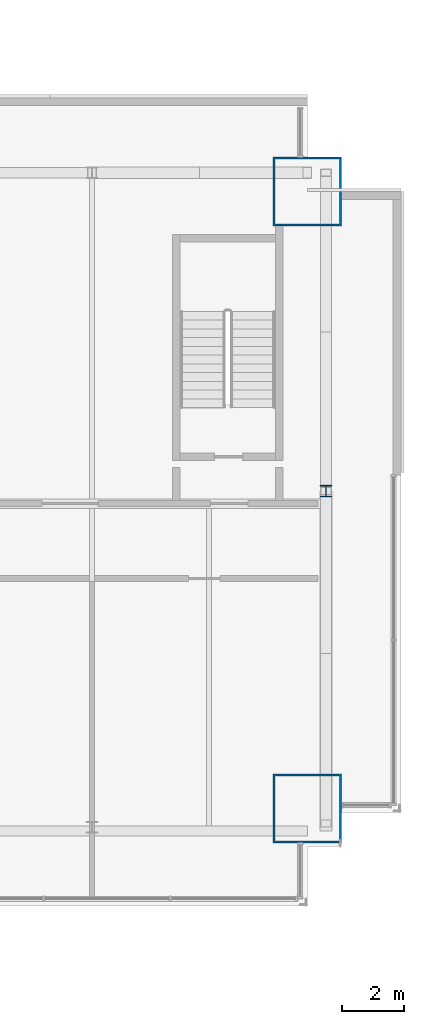
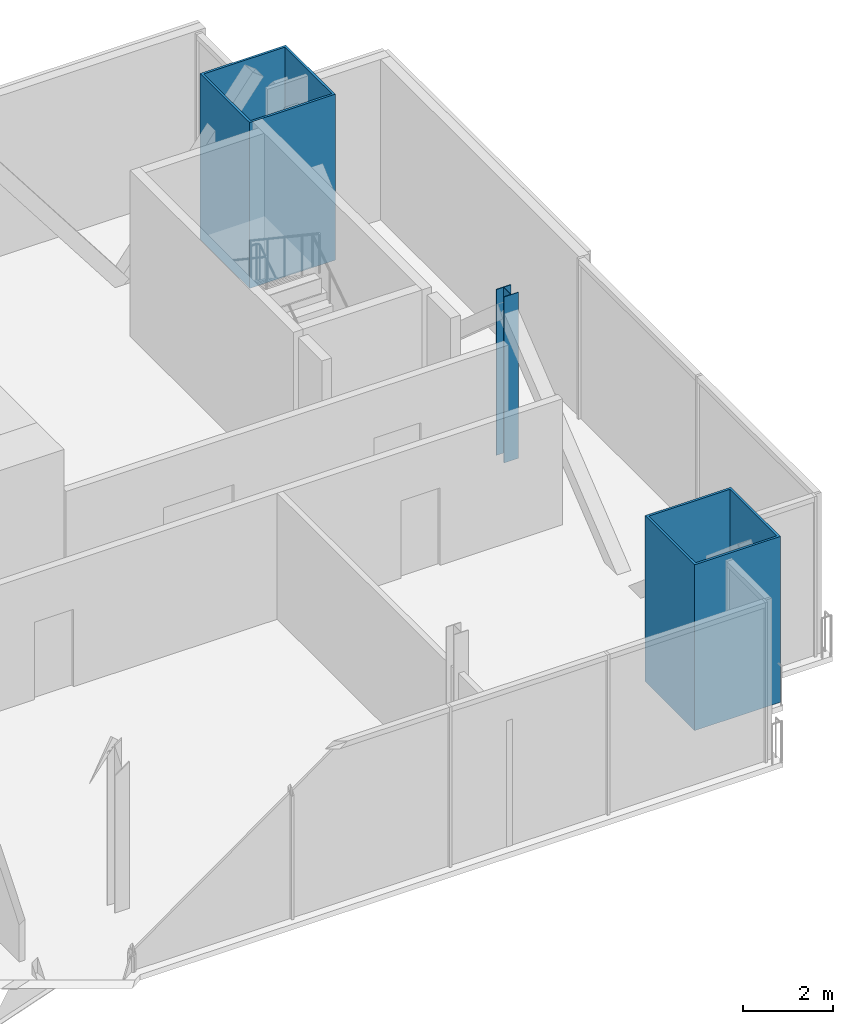
# One storey, part 3 of 17: 3 columns.
"""IFC4 building model written with IfcOpenShell, lengths in metres."""

from ifc_helpers import new_model, si_unit, direction, frame, origin, origin_2d, place, context, subcontext, project, spatial, hollow_rectangle, i_section, extrude, material, material_profile, profile_set, type_object, element, save


model = new_model("IFC4")

# Units and contexts
model_context = context("Model", 3, precision=1e-05, world=origin(), true_north=direction((0.0, 1.0)))
body_context = subcontext(model_context, "Body", "Model", "MODEL_VIEW")
ifc_project = project(units=[si_unit("LENGTHUNIT", "METRE"), si_unit("AREAUNIT", "SQUARE_METRE"), si_unit("VOLUMEUNIT", "CUBIC_METRE"), si_unit("PLANEANGLEUNIT", "RADIAN"), si_unit("MASSUNIT", "GRAM", prefix="KILO")], contexts=[model_context])

# Site, building, storey
site_placement = place(None, origin())
site = spatial("IfcSite", under=ifc_project, at=site_placement, CompositionType="ELEMENT")
building_placement = place(site_placement, origin())
building = spatial("IfcBuilding", under=site, at=building_placement, Name="Bicima Exchange Tower", CompositionType="ELEMENT")
storey_placement = place(building_placement, frame((0.0, 0.0, 320.0)))
storey = spatial("IfcBuildingStorey", under=building, at=storey_placement, Name="L72", CompositionType="ELEMENT", Elevation=320.0)

# Columns
ifc_material_1 = material(Name="Steel ASTM A572 Gr 50", Category="steel")
ifc_material_profile_1 = material_profile(ifc_material_1, hollow_rectangle(XDim=2.199951171875, YDim=2.199951171875, WallThickness=0.06005859375, at=origin_2d()))
ifc_profile_set_1 = profile_set([ifc_material_profile_1], Name="Steel ASTM A572 Gr 50")
column_type_1 = type_object("IfcColumnType", Name="Mega column BOX 2200x2200x60", PredefinedType="COLUMN", material=ifc_profile_set_1)
for number, where, z_axis, x_axis, name in (
    (1, (33.0, -22.77392578125, 0.0), (0.0, 0.0, 1.0), (1.0, 0.0, 0.0), "Mega column mega+33.0f"),
    (2, (33.0, -3.0, 0.0), (0.0, 0.0, 1.0), (1.0, 0.0, 0.0), "Mega column mega+33.0r"),
):
    element("IfcColumn", number, at=place(storey_placement, frame(where, z_axis=z_axis, x_axis=x_axis)), inside=storey, type_object=column_type_1, Name=name, PredefinedType="COLUMN", context=body_context, shape_type="SweptSolid", body=[
        extrude(hollow_rectangle(XDim=2.199951171875, YDim=2.199951171875, WallThickness=0.06005859375, at=origin_2d()), origin(), (0.0, 0.0, 1.0), 4.5),
    ])
ifc_material_2 = material(Name="Steel ASTM A992 Gr 50", Category="steel")
ifc_material_profile_2 = material_profile(ifc_material_2, i_section(OverallWidth=0.368408203125, OverallDepth=0.355712890625, WebThickness=0.01123046875, FlangeThickness=0.01806640625, at=origin_2d()))
ifc_profile_set_2 = profile_set([ifc_material_profile_2], Name="Steel ASTM A992 Gr 50")
column_type_2 = type_object("IfcColumnType", Name="Perimeter column W14x90", PredefinedType="COLUMN", material=ifc_profile_set_2)
column_placement = place(storey_placement, frame((33.60009765625, -12.60009765625, 0.0), z_axis=(0.0, 0.0, 1.0), x_axis=(1.0, 0.0, 0.0)))
element("IfcColumn", 3, at=column_placement, inside=storey, type_object=column_type_2, Name="End column end+33.6e", PredefinedType="COLUMN", context=body_context, shape_type="SweptSolid", body=[
    extrude(i_section(OverallWidth=0.368408203125, OverallDepth=0.355712890625, WebThickness=0.01123046875, FlangeThickness=0.01806640625, at=origin_2d()), origin(), (0.0, 0.0, 1.0), 4.5),
])

save(model, "model.ifc")
